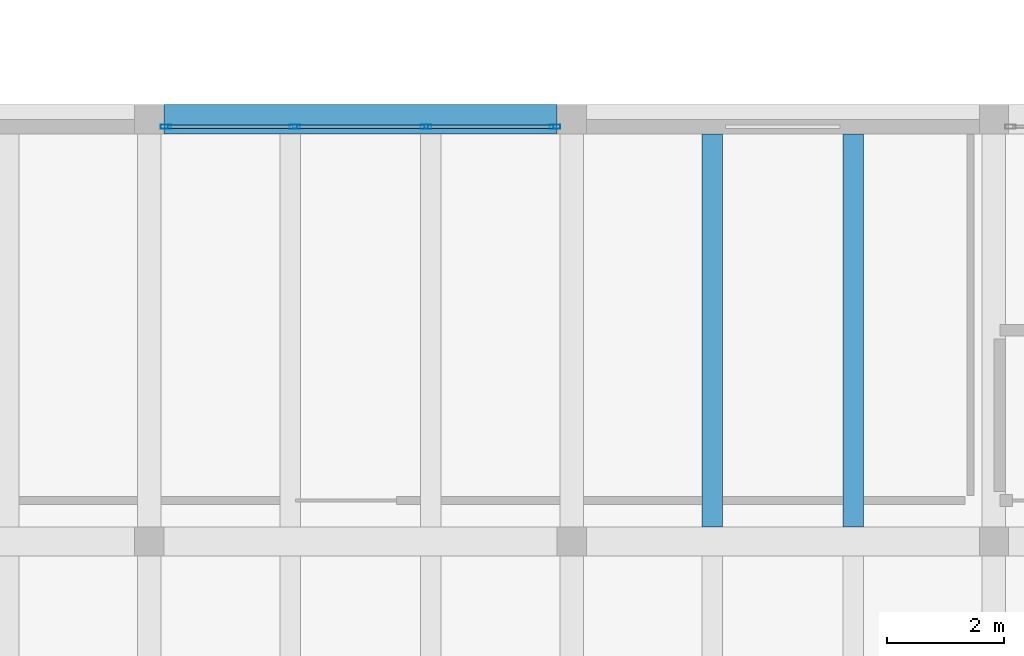
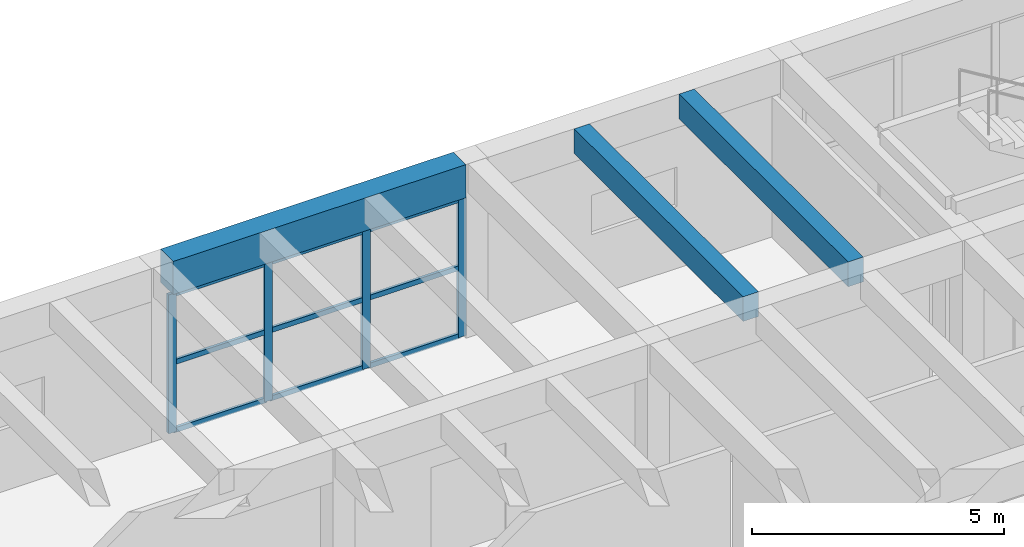
# One storey, part 111 of 153: 13 members, 3 beams, 1 element without a shape of its own.
"""IFC4 building model written with IfcOpenShell, lengths in metres."""

import ifcopenshell
import ifcopenshell.guid

model = None  # the IFC model being written
_history = None  # IfcOwnerHistory: only IFC2X3 demands one
_inside = {}  # id of a spatial element -> (the spatial element, [elements in it])
_under = {}  # id of a project, library or spatial element -> (it, [spatial elements below it])
_declared = {}  # id of a project -> (the project, [libraries it declares])
_typed = {}  # id of a type object -> (the type object, [elements of that type])
_made_of = {}  # id of a material, layer set ... -> (it, [elements and type objects made of it])


def new_model(schema):
    """Start an empty IFC model of exactly this schema.

    Asked for "IFC4X3", IfcOpenShell would pick the latest addendum, in which some entities
    have other attributes; the version numbers below select the first issue.
    IFC2X3 requires an IfcOwnerHistory on every rooted entity: one is made here for all.
    """
    global model, _history
    if schema == "IFC4X3":
        model = ifcopenshell.file(schema_version=(4, 3, 0, 0))
    else:
        model = ifcopenshell.file(schema=schema)
    _inside.clear()
    _under.clear()
    _declared.clear()
    _typed.clear()
    _made_of.clear()
    _history = None
    if model.schema == "IFC2X3":
        org = make("IfcOrganization", Name="unknown")
        user = make(
            "IfcPersonAndOrganization",
            ThePerson=make("IfcPerson", FamilyName="unknown"),
            TheOrganization=org,
        )
        app = make(
            "IfcApplication",
            ApplicationDeveloper=org,
            Version="unknown",
            ApplicationFullName="unknown",
            ApplicationIdentifier="unknown",
        )
        _history = make(
            "IfcOwnerHistory",
            OwningUser=user,
            OwningApplication=app,
            ChangeAction="ADDED",
            CreationDate=0,
        )
    return model


def make(cls, **values):
    """One entity of the class cls with the attributes given. An attribute that is None is left unset."""
    return model.create_entity(
        cls, **{name: value for name, value in values.items() if value is not None}
    )


def rooted(cls, **values):
    """An entity with a GlobalId (a new one), such as an element, a storey or a relation."""
    return make(cls, GlobalId=ifcopenshell.guid.new(), OwnerHistory=_history, **values)


def si_unit(unit_type, name, prefix=None):
    """IfcSIUnit, for example si_unit("LENGTHUNIT", "METRE", prefix="MILLI")."""
    return make("IfcSIUnit", UnitType=unit_type, Prefix=prefix, Name=name)


def assignment(units):
    """IfcUnitAssignment: the units of a project."""
    return None if units is None else make("IfcUnitAssignment", Units=units)


def point(xyz):
    """IfcCartesianPoint."""
    return None if xyz is None else make("IfcCartesianPoint", Coordinates=xyz)


def direction(xyz):
    """IfcDirection."""
    return None if xyz is None else make("IfcDirection", DirectionRatios=xyz)


def frame(location, z_axis=None, x_axis=None):
    """IfcAxis2Placement3D, a coordinate frame: its origin and axes. An axis left out is left unset."""
    return make(
        "IfcAxis2Placement3D",
        Location=point(location),
        Axis=direction(z_axis),
        RefDirection=direction(x_axis),
    )


def frame_2d(location, x_axis=None):
    """IfcAxis2Placement2D, a coordinate frame in the plane: its origin and x axis."""
    return make(
        "IfcAxis2Placement2D", Location=point(location), RefDirection=direction(x_axis)
    )


def origin():
    """The frame at (0, 0, 0) with its axes left unset."""
    return frame((0.0, 0.0, 0.0))


def origin_2d():
    """The frame at (0, 0) in the plane with its x axis left unset."""
    return frame_2d((0.0, 0.0))


def place(relative_to, where):
    """IfcLocalPlacement: puts the frame where relative to a parent placement (None: the world)."""
    return make(
        "IfcLocalPlacement", PlacementRelTo=relative_to, RelativePlacement=where
    )


def context(
    kind, dimensions, precision=None, world=None, true_north=None, identifier=None
):
    """IfcGeometricRepresentationContext, for example the 3D "Model" context."""
    return make(
        "IfcGeometricRepresentationContext",
        ContextIdentifier=identifier,
        ContextType=kind,
        CoordinateSpaceDimension=dimensions,
        Precision=precision,
        WorldCoordinateSystem=world,
        TrueNorth=true_north,
    )


def subcontext(parent, identifier, kind, view, scale=None):
    """IfcGeometricRepresentationSubContext, for example "Body" below "Model"."""
    return make(
        "IfcGeometricRepresentationSubContext",
        ContextIdentifier=identifier,
        ContextType=kind,
        ParentContext=parent,
        TargetScale=scale,
        TargetView=view,
    )


def project(units=None, contexts=None):
    """IfcProject with its units and contexts."""
    return rooted(
        "IfcProject",
        Name="project",
        RepresentationContexts=contexts,
        UnitsInContext=assignment(units),
    )


def spatial(cls, under=None, at=None, **own):
    """A site, building, storey or space (cls), placed at a placement, below another one or the project."""
    s = rooted(cls, ObjectPlacement=at, **own)
    if under is not None:
        _under.setdefault(under.id(), (under, []))[1].append(s)
    return s


def profile(cls, at=None, kind="AREA", **sizes):
    """A parametric profile (cls). Its sizes go by their IFC names, for example OverallWidth=200.0."""
    return make(cls, ProfileType=kind, Position=at, **sizes)


def rectangle(**sizes):
    """IfcRectangleProfileDef."""
    return profile("IfcRectangleProfileDef", **sizes)


def hollow_rectangle(**sizes):
    """IfcRectangleHollowProfileDef."""
    return profile("IfcRectangleHollowProfileDef", **sizes)


def extrude(swept, where, along, depth):
    """IfcExtrudedAreaSolid: the profile swept, set in the frame where, extruded along a direction by depth."""
    return make(
        "IfcExtrudedAreaSolid",
        SweptArea=swept,
        Position=where,
        ExtrudedDirection=direction(along),
        Depth=depth,
    )


def shape(context_of_items, identifier, shape_type, items):
    """IfcShapeRepresentation: the items that make up one representation, for example the "Body"."""
    return make(
        "IfcShapeRepresentation",
        ContextOfItems=context_of_items,
        RepresentationIdentifier=identifier,
        RepresentationType=shape_type,
        Items=items,
    )


def material(Name=None, Category=None):
    """IfcMaterial."""
    return make("IfcMaterial", Name=Name, Category=Category)


def material_profile(
    of_material, cross_section, Name=None, Category=None, Priority=None
):
    """IfcMaterialProfile: a cross section and its material."""
    return make(
        "IfcMaterialProfile",
        Name=Name,
        Material=of_material,
        Profile=cross_section,
        Priority=Priority,
        Category=Category,
    )


def profile_set(profiles, Name=None, composite=None):
    """IfcMaterialProfileSet."""
    return make(
        "IfcMaterialProfileSet",
        Name=Name,
        MaterialProfiles=profiles,
        CompositeProfile=composite,
    )


def made_of(thing, what):
    """Note that an element or type object is made of a material, layer set ...; save() writes the relation."""
    if what is not None:
        _made_of.setdefault(what.id(), (what, []))[1].append(thing)
    return thing


def type_object(cls, material=None, **own):
    """A type object (cls), such as IfcWallType, which elements share."""
    return made_of(rooted(cls, **own), material)


def element(
    cls,
    number,
    at=None,
    inside=None,
    cuts=None,
    type_object=None,
    material=None,
    context=None,
    identifier="Body",
    shape_type=None,
    held_by="IfcProductDefinitionShape",
    body=None,
    shapes=None,
    **own,
):
    """One element of the class cls, such as IfcWall. Its Tag is "e" and its number.

    at: its placement. inside: the storey or other place that contains it. cuts: it is an
    opening in that element (IfcRelVoidsElement). A single representation is given by context,
    identifier, shape_type and body (its items); several are given by shapes. held_by: the class
    of the entity that holds the representations. save() writes the other relations.
    """
    e = rooted(cls, Tag="e%d" % number, ObjectPlacement=at, **own)
    if body is not None:
        shapes = [shape(context, identifier, shape_type, body)]
    if shapes is not None:
        e.Representation = make(held_by, Representations=shapes)
    if inside is not None:
        _inside.setdefault(inside.id(), (inside, []))[1].append(e)
    if cuts is not None:
        rooted(
            "IfcRelVoidsElement", RelatingBuildingElement=cuts, RelatedOpeningElement=e
        )
    if type_object is not None:
        _typed.setdefault(type_object.id(), (type_object, []))[1].append(e)
    return made_of(e, material)


def aggregate(whole, parts):
    """IfcRelAggregates: a whole, such as a stair, and the parts it consists of."""
    return rooted("IfcRelAggregates", RelatingObject=whole, RelatedObjects=parts)


def save(model, path):
    """Write the relations noted so far, then the file.

    IfcRelAggregates (storeys below a building ...), IfcRelContainedInSpatialStructure (elements
    in a storey), IfcRelDefinesByType, IfcRelAssociatesMaterial and IfcRelDeclares: one each for
    every whole, place, type object, material and project.
    """
    for whole, parts in _under.values():
        aggregate(whole, parts)
    for where, things in _inside.values():
        rooted(
            "IfcRelContainedInSpatialStructure",
            RelatedElements=things,
            RelatingStructure=where,
        )
    for kind, things in _typed.values():
        rooted("IfcRelDefinesByType", RelatedObjects=things, RelatingType=kind)
    for what, things in _made_of.values():
        rooted("IfcRelAssociatesMaterial", RelatedObjects=things, RelatingMaterial=what)
    for by, libraries in _declared.values():
        rooted("IfcRelDeclares", RelatingContext=by, RelatedDefinitions=libraries)
    model.write(path)


model = new_model("IFC4")

# Units and contexts
model_context = context("Model", 3, precision=1e-05, world=origin(), true_north=direction((0.0, 1.0)))
body_context = subcontext(model_context, "Body", "Model", "MODEL_VIEW")
ifc_project = project(units=[si_unit("LENGTHUNIT", "METRE"), si_unit("AREAUNIT", "SQUARE_METRE"), si_unit("VOLUMEUNIT", "CUBIC_METRE"), si_unit("PLANEANGLEUNIT", "RADIAN"), si_unit("MASSUNIT", "GRAM", prefix="KILO")], contexts=[model_context])

# Site, building, storey
site_placement = place(None, origin())
site = spatial("IfcSite", under=ifc_project, at=site_placement, CompositionType="ELEMENT")
building_placement = place(site_placement, origin())
building = spatial("IfcBuilding", under=site, at=building_placement, Name="Bramvelor Terrace Health Centre", CompositionType="ELEMENT")
storey_placement = place(building_placement, frame((0.0, 0.0, 4.800048828125)))
storey = spatial("IfcBuildingStorey", under=building, at=storey_placement, Name="L02", CompositionType="ELEMENT", Elevation=4.800048828125)

# Beams
ifc_material_1 = material(Name="Concrete C40/50", Category="concrete")
ifc_material_profile_1 = material_profile(ifc_material_1, rectangle(XDim=0.5, YDim=0.800048828125, at=origin_2d()), Name="RC 500x800")
ifc_profile_set_1 = profile_set([ifc_material_profile_1], Name="Concrete C40/50")
beam_type_1 = type_object("IfcBeamType", Name="BM-RC-G800", PredefinedType="BEAM", material=ifc_profile_set_1)
beam_placement = place(storey_placement, frame((144.25, 64.800048828125, 3.800048828125), z_axis=(1.0, 0.0, 0.0), x_axis=(0.0, 1.0, 0.0)))
element("IfcBeam", 1, at=beam_placement, inside=storey, type_object=beam_type_1, Name="L02 Floor Girder", PredefinedType="BEAM", context=body_context, shape_type="SweptSolid", body=[
    extrude(rectangle(XDim=0.5, YDim=0.800048828125, at=origin_2d()), origin(), (0.0, 0.0, 1.0), 6.699951171875),
])
ifc_material_2 = material(Name="Concrete C40/50", Category="concrete")
ifc_material_profile_2 = material_profile(ifc_material_2, rectangle(XDim=0.35009765625, YDim=0.60009765625, at=origin_2d()), Name="RC 350x600")
ifc_profile_set_2 = profile_set([ifc_material_profile_2], Name="Concrete C40/50")
beam_type_2 = type_object("IfcBeamType", Name="BM-RC-J600", PredefinedType="JOIST", material=ifc_profile_set_2)
for number, where, z_axis, x_axis, name in (
    (2, (153.60009765625, 57.85009765625, 3.89990234375), (0.0, 1.0, 0.0), (-1.0, 0.0, 0.0), "L02 Secondary Floor Joist"),
    (3, (156.0, 57.85009765625, 3.89990234375), (0.0, 1.0, 0.0), (-1.0, 0.0, 0.0), "L02 Secondary Floor Joist"),
):
    element("IfcBeam", number, at=place(storey_placement, frame(where, z_axis=z_axis, x_axis=x_axis)), inside=storey, type_object=beam_type_2, Name=name, PredefinedType="JOIST", context=body_context, shape_type="SweptSolid", body=[
        extrude(rectangle(XDim=0.35009765625, YDim=0.60009765625, at=origin_2d()), origin(), (0.0, 0.0, 1.0), 6.699951171875),
    ])

# Curtain wall, members
ifc_material_3 = material(Name="Anodized aluminium and double low-E glass", Category="aluminium")
curtain_wall_type = type_object("IfcCurtainWallType", Name="CW-SYS-16", PredefinedType="NOTDEFINED", material=ifc_material_3)
curtain_wall_placement = place(storey_placement, origin())
curtain_wall = element("IfcCurtainWall", 4, at=curtain_wall_placement, inside=storey, type_object=curtain_wall_type, Name="L02 Unitized Curtain Wall 104", PredefinedType="NOTDEFINED")
ifc_material_4 = material(Name="Anodized aluminium 6063-T6", Category="aluminium")
ifc_material_profile_3 = material_profile(ifc_material_4, hollow_rectangle(XDim=0.074951171875, YDim=0.179931640625, WallThickness=0.00341796875, at=origin_2d()), Name="ALU-MUL 75x180x3.5")
ifc_profile_set_3 = profile_set([ifc_material_profile_3], Name="Anodized aluminium 6063-T6")
member_type_1 = type_object("IfcMemberType", Name="CW-MUL-65x180", PredefinedType="MULLION", material=ifc_profile_set_3)
member_1_placement = place(storey_placement, frame((144.282470703125, 64.669921875, 0.0), z_axis=(0.0, 0.0, 1.0), x_axis=(0.0, 1.0, 0.0)))
member_1 = element("IfcMember", 5, at=member_1_placement, type_object=member_type_1, Name="CW-16 mullion 1", PredefinedType="MULLION", context=body_context, shape_type="SweptSolid", body=[
    extrude(hollow_rectangle(XDim=0.074951171875, YDim=0.179931640625, WallThickness=0.00341796875, at=origin_2d()), origin(), (0.0, 0.0, 1.0), 3.35986328125),
])
member_2_placement = place(storey_placement, frame((146.481689453125, 64.669921875, 0.0), z_axis=(0.0, 0.0, 1.0), x_axis=(0.0, 1.0, 0.0)))
member_2 = element("IfcMember", 6, at=member_2_placement, type_object=member_type_1, Name="CW-16 mullion 2", PredefinedType="MULLION", context=body_context, shape_type="SweptSolid", body=[
    extrude(hollow_rectangle(XDim=0.074951171875, YDim=0.179931640625, WallThickness=0.00341796875, at=origin_2d()), origin(), (0.0, 0.0, 1.0), 3.35986328125),
])
member_3_placement = place(storey_placement, frame((148.71826171875, 64.669921875, 0.0), z_axis=(0.0, 0.0, 1.0), x_axis=(0.0, 1.0, 0.0)))
member_3 = element("IfcMember", 7, at=member_3_placement, type_object=member_type_1, Name="CW-16 mullion 3", PredefinedType="MULLION", context=body_context, shape_type="SweptSolid", body=[
    extrude(hollow_rectangle(XDim=0.074951171875, YDim=0.179931640625, WallThickness=0.00341796875, at=origin_2d()), origin(), (0.0, 0.0, 1.0), 3.35986328125),
])
member_4_placement = place(storey_placement, frame((150.91748046875, 64.669921875, 0.0), z_axis=(0.0, 0.0, 1.0), x_axis=(0.0, 1.0, 0.0)))
member_4 = element("IfcMember", 8, at=member_4_placement, type_object=member_type_1, Name="CW-16 mullion 4", PredefinedType="MULLION", context=body_context, shape_type="SweptSolid", body=[
    extrude(hollow_rectangle(XDim=0.074951171875, YDim=0.179931640625, WallThickness=0.00341796875, at=origin_2d()), origin(), (0.0, 0.0, 1.0), 3.35986328125),
])
ifc_material_5 = material(Name="Anodized aluminium 6063-T6", Category="aluminium")
ifc_material_profile_4 = material_profile(ifc_material_5, hollow_rectangle(XDim=0.06494140625, YDim=0.1201171875, WallThickness=0.0029296875, at=origin_2d()), Name="ALU-TRN 65x120x3.0")
ifc_profile_set_4 = profile_set([ifc_material_profile_4], Name="Anodized aluminium 6063-T6")
member_type_2 = type_object("IfcMemberType", Name="CW-TRN-65x150", PredefinedType="USERDEFINED", material=ifc_profile_set_4)
member_5_placement = place(storey_placement, frame((144.320068359375, 64.669921875, 0.032470703125), z_axis=(1.0, 0.0, 0.0), x_axis=(0.0, 1.0, 0.0)))
member_5 = element("IfcMember", 9, at=member_5_placement, type_object=member_type_2, Name="CW-16 transom 1.1", ObjectType="TRANSOM", PredefinedType="USERDEFINED", context=body_context, shape_type="SweptSolid", body=[
    extrude(hollow_rectangle(XDim=0.06494140625, YDim=0.1201171875, WallThickness=0.0029296875, at=origin_2d()), origin(), (0.0, 0.0, 1.0), 2.1240234375),
])
member_6_placement = place(storey_placement, frame((144.320068359375, 64.669921875, 1.679931640625), z_axis=(1.0, 0.0, 0.0), x_axis=(0.0, 1.0, 0.0)))
member_6 = element("IfcMember", 10, at=member_6_placement, type_object=member_type_2, Name="CW-16 transom 1.2", ObjectType="TRANSOM", PredefinedType="USERDEFINED", context=body_context, shape_type="SweptSolid", body=[
    extrude(hollow_rectangle(XDim=0.06494140625, YDim=0.1201171875, WallThickness=0.0029296875, at=origin_2d()), origin(), (0.0, 0.0, 1.0), 2.1240234375),
])
member_7_placement = place(storey_placement, frame((144.320068359375, 64.669921875, 3.327392578125), z_axis=(1.0, 0.0, 0.0), x_axis=(0.0, 1.0, 0.0)))
member_7 = element("IfcMember", 11, at=member_7_placement, type_object=member_type_2, Name="CW-16 transom 1.3", ObjectType="TRANSOM", PredefinedType="USERDEFINED", context=body_context, shape_type="SweptSolid", body=[
    extrude(hollow_rectangle(XDim=0.06494140625, YDim=0.1201171875, WallThickness=0.0029296875, at=origin_2d()), origin(), (0.0, 0.0, 1.0), 2.1240234375),
])
member_8_placement = place(storey_placement, frame((146.519287109375, 64.669921875, 0.032470703125), z_axis=(1.0, 0.0, 0.0), x_axis=(0.0, 1.0, 0.0)))
member_8 = element("IfcMember", 12, at=member_8_placement, type_object=member_type_2, Name="CW-16 transom 2.1", ObjectType="TRANSOM", PredefinedType="USERDEFINED", context=body_context, shape_type="SweptSolid", body=[
    extrude(hollow_rectangle(XDim=0.06494140625, YDim=0.1201171875, WallThickness=0.0029296875, at=origin_2d()), origin(), (0.0, 0.0, 1.0), 2.16162109375),
])
member_9_placement = place(storey_placement, frame((146.519287109375, 64.669921875, 1.679931640625), z_axis=(1.0, 0.0, 0.0), x_axis=(0.0, 1.0, 0.0)))
member_9 = element("IfcMember", 13, at=member_9_placement, type_object=member_type_2, Name="CW-16 transom 2.2", ObjectType="TRANSOM", PredefinedType="USERDEFINED", context=body_context, shape_type="SweptSolid", body=[
    extrude(hollow_rectangle(XDim=0.06494140625, YDim=0.1201171875, WallThickness=0.0029296875, at=origin_2d()), origin(), (0.0, 0.0, 1.0), 2.16162109375),
])
member_10_placement = place(storey_placement, frame((146.519287109375, 64.669921875, 3.327392578125), z_axis=(1.0, 0.0, 0.0), x_axis=(0.0, 1.0, 0.0)))
member_10 = element("IfcMember", 14, at=member_10_placement, type_object=member_type_2, Name="CW-16 transom 2.3", ObjectType="TRANSOM", PredefinedType="USERDEFINED", context=body_context, shape_type="SweptSolid", body=[
    extrude(hollow_rectangle(XDim=0.06494140625, YDim=0.1201171875, WallThickness=0.0029296875, at=origin_2d()), origin(), (0.0, 0.0, 1.0), 2.16162109375),
])
member_11_placement = place(storey_placement, frame((148.755859375, 64.669921875, 0.032470703125), z_axis=(1.0, 0.0, 0.0), x_axis=(0.0, 1.0, 0.0)))
member_11 = element("IfcMember", 15, at=member_11_placement, type_object=member_type_2, Name="CW-16 transom 3.1", ObjectType="TRANSOM", PredefinedType="USERDEFINED", context=body_context, shape_type="SweptSolid", body=[
    extrude(hollow_rectangle(XDim=0.06494140625, YDim=0.1201171875, WallThickness=0.0029296875, at=origin_2d()), origin(), (0.0, 0.0, 1.0), 2.1240234375),
])
member_12_placement = place(storey_placement, frame((148.755859375, 64.669921875, 1.679931640625), z_axis=(1.0, 0.0, 0.0), x_axis=(0.0, 1.0, 0.0)))
member_12 = element("IfcMember", 16, at=member_12_placement, type_object=member_type_2, Name="CW-16 transom 3.2", ObjectType="TRANSOM", PredefinedType="USERDEFINED", context=body_context, shape_type="SweptSolid", body=[
    extrude(hollow_rectangle(XDim=0.06494140625, YDim=0.1201171875, WallThickness=0.0029296875, at=origin_2d()), origin(), (0.0, 0.0, 1.0), 2.1240234375),
])
member_13_placement = place(storey_placement, frame((148.755859375, 64.669921875, 3.327392578125), z_axis=(1.0, 0.0, 0.0), x_axis=(0.0, 1.0, 0.0)))
member_13 = element("IfcMember", 17, at=member_13_placement, type_object=member_type_2, Name="CW-16 transom 3.3", ObjectType="TRANSOM", PredefinedType="USERDEFINED", context=body_context, shape_type="SweptSolid", body=[
    extrude(hollow_rectangle(XDim=0.06494140625, YDim=0.1201171875, WallThickness=0.0029296875, at=origin_2d()), origin(), (0.0, 0.0, 1.0), 2.1240234375),
])
aggregate(curtain_wall, [member_1, member_2, member_3, member_4, member_5, member_6, member_7, member_8, member_9, member_10, member_11, member_12, member_13])

save(model, "model.ifc")
